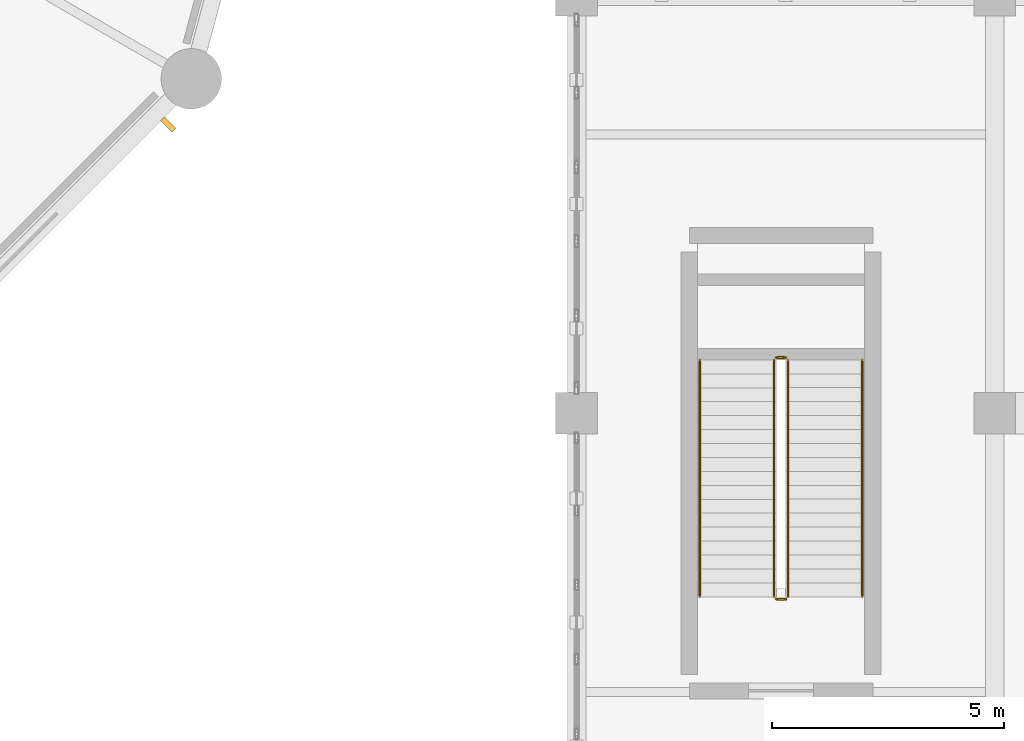
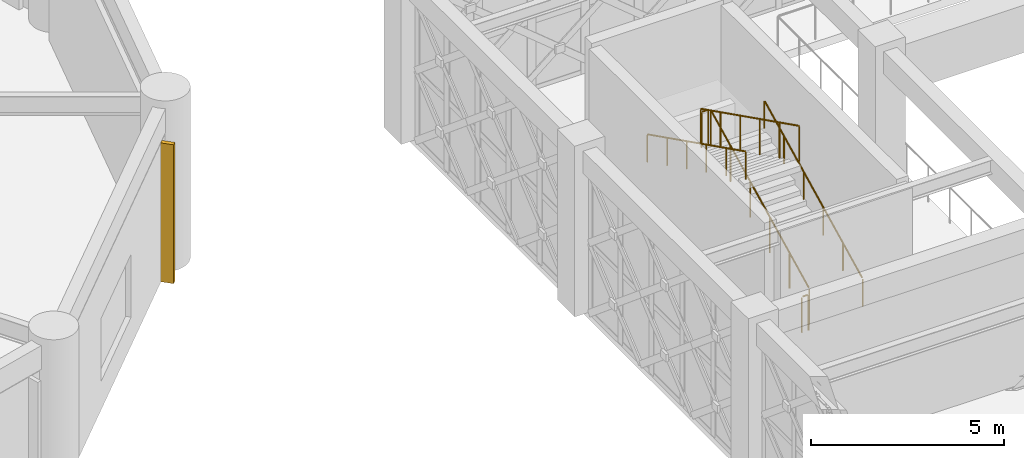
# One storey, part 149 of 155: 6 railings, 1 shading device.
"""IFC4 building model written with IfcOpenShell, lengths in metres."""

from ifc_helpers import new_model, si_unit, direction, frame, origin, origin_2d, place, context, subcontext, project, spatial, rectangle, circle, extrude, material, type_object, element, save


model = new_model("IFC4")

# Units and contexts
model_context = context("Model", 3, precision=1e-05, world=origin(), true_north=direction((0.0, 1.0)))
body_context = subcontext(model_context, "Body", "Model", "MODEL_VIEW")
ifc_project = project(units=[si_unit("LENGTHUNIT", "METRE"), si_unit("AREAUNIT", "SQUARE_METRE"), si_unit("VOLUMEUNIT", "CUBIC_METRE"), si_unit("PLANEANGLEUNIT", "RADIAN"), si_unit("MASSUNIT", "GRAM", prefix="KILO")], contexts=[model_context])

# Site, building, storey
site_placement = place(None, origin())
site = spatial("IfcSite", under=ifc_project, at=site_placement, CompositionType="ELEMENT")
building_placement = place(site_placement, origin())
building = spatial("IfcBuilding", under=site, at=building_placement, Name="Haizhuo Lancet Aquarium", CompositionType="ELEMENT")
storey_placement = place(building_placement, frame((0.0, 0.0, 10.800048828125)))
storey = spatial("IfcBuildingStorey", under=building, at=storey_placement, Name="L02", CompositionType="ELEMENT", Elevation=10.800048828125)

# Railings
ifc_material_1 = material(Name="Steel S355", Category="steel")
railing_type_1 = type_object("IfcRailingType", Name="RL-GRD-1150", PredefinedType="GUARDRAIL", material=ifc_material_1)
railing_1_placement = place(storey_placement, frame((31.550048828125, -21.949951171875, 0.14990234375)))
element("IfcRailing", 1, at=railing_1_placement, inside=storey, type_object=railing_type_1, Name="L02 ST-04 stair guard 1", PredefinedType="GUARDRAIL", context=body_context, shape_type="SweptSolid", body=[
    extrude(circle(Radius=0.02392578125, at=origin_2d()), frame((0.0, 0.02685546875, 1.13916015625), z_axis=(0.0, 0.894418627299, 0.447230722492), x_axis=(-1.0, 0.0, 0.0)), (0.0, 0.0, 1.0), 5.641845703125),
    extrude(circle(Radius=0.02099609375, at=origin_2d()), origin(), (0.0, 0.0, 1.0), 1.097900390625),
    extrude(circle(Radius=0.02099609375, at=origin_2d()), frame((0.0, 1.02001953125, 0.510009765625)), (0.0, 0.0, 1.0), 1.097900390625),
    extrude(circle(Radius=0.02099609375, at=origin_2d()), frame((0.0, 2.0400390625, 1.02001953125)), (0.0, 0.0, 1.0), 1.097900390625),
    extrude(circle(Radius=0.02099609375, at=origin_2d()), frame((0.0, 3.059814453125, 1.530029296875)), (0.0, 0.0, 1.0), 1.097900390625),
    extrude(circle(Radius=0.02099609375, at=origin_2d()), frame((0.0, 4.079833984375, 2.0400390625)), (0.0, 0.0, 1.0), 1.097900390625),
    extrude(circle(Radius=0.02099609375, at=origin_2d()), frame((0.0, 5.099853515625, 2.550048828125)), (0.0, 0.0, 1.0), 1.097900390625),
])
railing_2_placement = place(storey_placement, frame((31.5, -16.800048828125, 2.699951171875)))
element("IfcRailing", 2, at=railing_2_placement, inside=storey, type_object=railing_type_1, Name="L02 ST-04 stair guard 2", PredefinedType="GUARDRAIL", context=body_context, shape_type="SweptSolid", body=[
    extrude(circle(Radius=0.02392578125, at=origin_2d()), frame((-0.030029296875, 0.0, 1.1259765625), z_axis=(-1.0, 0.0, 0.0), x_axis=(0.0, -1.0, 0.0)), (0.0, 0.0, 1.0), 0.139892578125),
    extrude(circle(Radius=0.02099609375, at=origin_2d()), origin(), (0.0, 0.0, 1.0), 1.097900390625),
    extrude(circle(Radius=0.02099609375, at=origin_2d()), frame((-0.199951171875, 0.0, 0.0)), (0.0, 0.0, 1.0), 1.097900390625),
])
railing_3_placement = place(storey_placement, frame((31.25, -16.85009765625, 2.849853515625)))
element("IfcRailing", 3, at=railing_3_placement, inside=storey, type_object=railing_type_1, Name="L02 ST-04 stair guard 3", PredefinedType="GUARDRAIL", context=body_context, shape_type="SweptSolid", body=[
    extrude(circle(Radius=0.02392578125, at=origin_2d()), frame((0.0, -0.02685546875, 1.13916015625), z_axis=(0.0, -0.894418627299, 0.447230722492), x_axis=(1.0, 0.0, 0.0)), (0.0, 0.0, 1.0), 5.641845703125),
    extrude(circle(Radius=0.02099609375, at=origin_2d()), origin(), (0.0, 0.0, 1.0), 1.097900390625),
    extrude(circle(Radius=0.02099609375, at=origin_2d()), frame((0.0, -1.02001953125, 0.510009765625)), (0.0, 0.0, 1.0), 1.097900390625),
    extrude(circle(Radius=0.02099609375, at=origin_2d()), frame((0.0, -2.0400390625, 1.02001953125)), (0.0, 0.0, 1.0), 1.097900390625),
    extrude(circle(Radius=0.02099609375, at=origin_2d()), frame((0.0, -3.059814453125, 1.530029296875)), (0.0, 0.0, 1.0), 1.097900390625),
    extrude(circle(Radius=0.02099609375, at=origin_2d()), frame((0.0, -4.079833984375, 2.0400390625)), (0.0, 0.0, 1.0), 1.097900390625),
    extrude(circle(Radius=0.02099609375, at=origin_2d()), frame((0.0, -5.099853515625, 2.550048828125)), (0.0, 0.0, 1.0), 1.097900390625),
])
railing_4_placement = place(storey_placement, frame((31.5, -22.0, 0.0)))
element("IfcRailing", 4, at=railing_4_placement, inside=storey, type_object=railing_type_1, Name="L02 ST-04 stair guard 4", PredefinedType="GUARDRAIL", context=body_context, shape_type="SweptSolid", body=[
    extrude(circle(Radius=0.02392578125, at=origin_2d()), frame((-0.030029296875, 0.0, 1.1259765625), z_axis=(-1.0, 0.0, 0.0), x_axis=(0.0, -1.0, 0.0)), (0.0, 0.0, 1.0), 0.139892578125),
    extrude(circle(Radius=0.02099609375, at=origin_2d()), origin(), (0.0, 0.0, 1.0), 1.097900390625),
    extrude(circle(Radius=0.02099609375, at=origin_2d()), frame((-0.199951171875, 0.0, 0.0)), (0.0, 0.0, 1.0), 1.097900390625),
])
railing_type_2 = type_object("IfcRailingType", Name="RL-HDR-900", PredefinedType="HANDRAIL", material=ifc_material_1)
railing_5_placement = place(storey_placement, frame((33.14990234375, -21.949951171875, 0.14990234375)))
element("IfcRailing", 5, at=railing_5_placement, inside=storey, type_object=railing_type_2, Name="L02 ST-04 pitch handrail 1", PredefinedType="HANDRAIL", context=body_context, shape_type="SweptSolid", body=[
    extrude(circle(Radius=0.02392578125, at=origin_2d()), frame((0.0, 0.02685546875, 0.88916015625), z_axis=(0.0, 0.894418627299, 0.447230722492), x_axis=(-1.0, 0.0, 0.0)), (0.0, 0.0, 1.0), 5.641845703125),
    extrude(circle(Radius=0.02099609375, at=origin_2d()), origin(), (0.0, 0.0, 1.0), 0.847900390625),
    extrude(circle(Radius=0.02099609375, at=origin_2d()), frame((0.0, 1.02001953125, 0.510009765625)), (0.0, 0.0, 1.0), 0.847900390625),
    extrude(circle(Radius=0.02099609375, at=origin_2d()), frame((0.0, 2.0400390625, 1.02001953125)), (0.0, 0.0, 1.0), 0.847900390625),
    extrude(circle(Radius=0.02099609375, at=origin_2d()), frame((0.0, 3.059814453125, 1.530029296875)), (0.0, 0.0, 1.0), 0.847900390625),
    extrude(circle(Radius=0.02099609375, at=origin_2d()), frame((0.0, 4.079833984375, 2.0400390625)), (0.0, 0.0, 1.0), 0.847900390625),
    extrude(circle(Radius=0.02099609375, at=origin_2d()), frame((0.0, 5.099853515625, 2.550048828125)), (0.0, 0.0, 1.0), 0.847900390625),
])
railing_6_placement = place(storey_placement, frame((29.64990234375, -16.85009765625, 2.849853515625)))
element("IfcRailing", 6, at=railing_6_placement, inside=storey, type_object=railing_type_2, Name="L02 ST-04 pitch handrail 2", PredefinedType="HANDRAIL", context=body_context, shape_type="SweptSolid", body=[
    extrude(circle(Radius=0.02392578125, at=origin_2d()), frame((0.0, -0.02685546875, 0.88916015625), z_axis=(0.0, -0.894418627299, 0.447230722492), x_axis=(1.0, 0.0, 0.0)), (0.0, 0.0, 1.0), 5.641845703125),
    extrude(circle(Radius=0.02099609375, at=origin_2d()), origin(), (0.0, 0.0, 1.0), 0.847900390625),
    extrude(circle(Radius=0.02099609375, at=origin_2d()), frame((0.0, -1.02001953125, 0.510009765625)), (0.0, 0.0, 1.0), 0.847900390625),
    extrude(circle(Radius=0.02099609375, at=origin_2d()), frame((0.0, -2.0400390625, 1.02001953125)), (0.0, 0.0, 1.0), 0.847900390625),
    extrude(circle(Radius=0.02099609375, at=origin_2d()), frame((0.0, -3.059814453125, 1.530029296875)), (0.0, 0.0, 1.0), 0.847900390625),
    extrude(circle(Radius=0.02099609375, at=origin_2d()), frame((0.0, -4.079833984375, 2.0400390625)), (0.0, 0.0, 1.0), 0.847900390625),
    extrude(circle(Radius=0.02099609375, at=origin_2d()), frame((0.0, -5.099853515625, 2.550048828125)), (0.0, 0.0, 1.0), 0.847900390625),
])

# Shading device
ifc_material_2 = material(Name="Shandong Grey Limestone Ashlar", Category="masonry")
shading_device_type = type_object("IfcShadingDeviceType", Name="SHD-LAN-FIN", PredefinedType="JALOUSIE", material=ifc_material_2)
shading_device_placement = place(storey_placement, frame((18.2109375, -11.781982421875, 0.00048828125), z_axis=(0.0, 0.0, 1.0), x_axis=(-0.707106781187, -0.707106781187, 0.0)))
element("IfcShadingDevice", 7, at=shading_device_placement, inside=storey, type_object=shading_device_type, material=ifc_material_2, Name="L02 Gothic lancet stone solar fin 23", PredefinedType="JALOUSIE", context=body_context, shape_type="SweptSolid", body=[
    extrude(rectangle(XDim=0.1201171875, YDim=0.35009765625, at=origin_2d()), origin(), (0.0, 0.0, 1.0), 4.39501953125),
])

save(model, "model.ifc")
